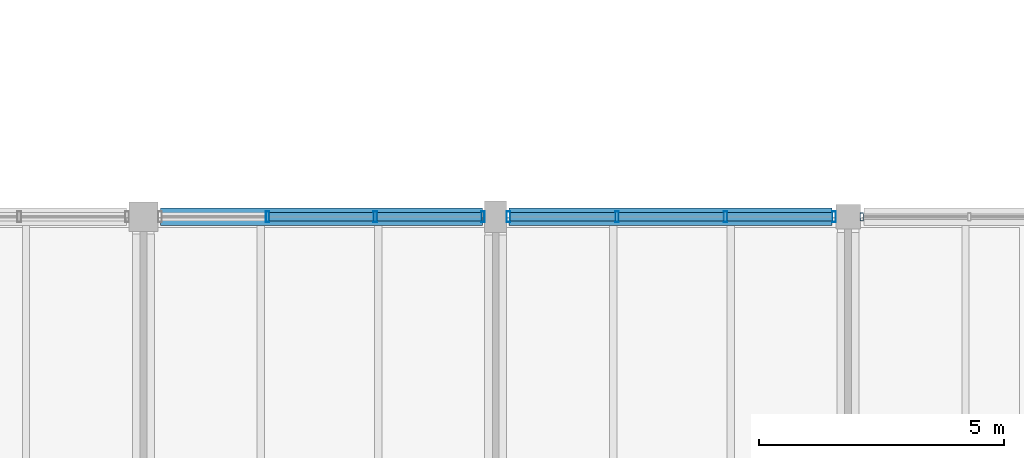
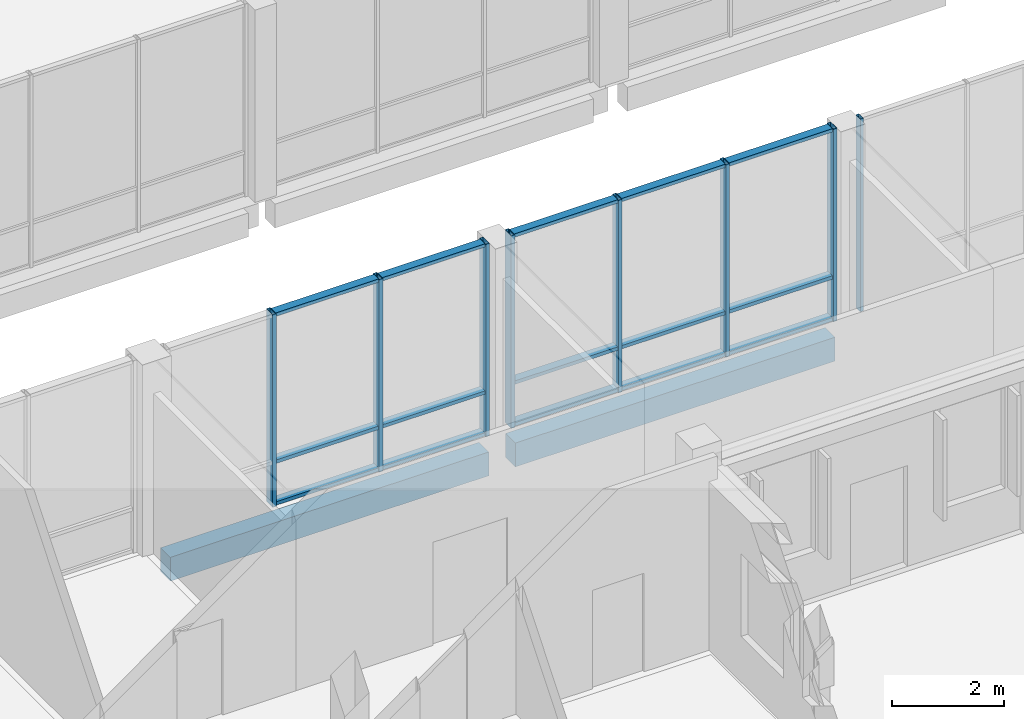
# One storey, part 22 of 104: 23 members, 2 beams, 3 elements without a shape of their own.
"""IFC4 building model written with IfcOpenShell, lengths in metres."""

from ifc_helpers import new_model, si_unit, direction, frame, origin, origin_2d, place, context, subcontext, project, spatial, rectangle, hollow_rectangle, extrude, material, material_profile, profile_set, type_object, element, aggregate, save


model = new_model("IFC4")

# Units and contexts
model_context = context("Model", 3, precision=1e-05, world=origin(), true_north=direction((0.0, 1.0)))
body_context = subcontext(model_context, "Body", "Model", "MODEL_VIEW")
ifc_project = project(units=[si_unit("LENGTHUNIT", "METRE"), si_unit("AREAUNIT", "SQUARE_METRE"), si_unit("VOLUMEUNIT", "CUBIC_METRE"), si_unit("PLANEANGLEUNIT", "RADIAN"), si_unit("MASSUNIT", "GRAM", prefix="KILO")], contexts=[model_context])

# Site, building, storey
site_placement = place(None, origin())
site = spatial("IfcSite", under=ifc_project, at=site_placement, CompositionType="ELEMENT")
building_placement = place(site_placement, origin())
building = spatial("IfcBuilding", under=site, at=building_placement, Name="Hawrajan Terrace Health Centre", CompositionType="ELEMENT")
storey_placement = place(building_placement, origin())
storey = spatial("IfcBuildingStorey", under=building, at=storey_placement, Name="L00", CompositionType="ELEMENT", Elevation=0.0)

# Curtain wall, member
ifc_material_1 = material(Name="Anodized bronze aluminium and low-E solar glazing", Category="aluminium")
curtain_wall_type_1 = type_object("IfcCurtainWallType", Name="CW_Terrace_SeriesK1", PredefinedType="USERDEFINED", material=ifc_material_1)
curtain_wall_1_placement = place(storey_placement, origin())
curtain_wall_1 = element("IfcCurtainWall", 1, at=curtain_wall_1_placement, inside=storey, type_object=curtain_wall_type_1, Name="Curtain wall CW-L00-021", ObjectType="UNITISED CURTAIN WALL", PredefinedType="USERDEFINED")
ifc_material_2 = material(Name="Anodized bronze aluminium 6063-T6", Category="aluminium")
ifc_material_profile_1 = material_profile(ifc_material_2, hollow_rectangle(XDim=0.06494140625, YDim=0.159912109375, WallThickness=0.00390625, at=origin_2d()), Name="CW MUL 65x160")
ifc_profile_set_1 = profile_set([ifc_material_profile_1], Name="Anodized bronze aluminium 6063-T6")
member_type_1 = type_object("IfcMemberType", Name="CWMullion_65x160", PredefinedType="MULLION", material=ifc_profile_set_1)
member_1_placement = place(storey_placement, frame((48.08251953125, 18.60009765625, -0.0048828125), z_axis=(0.0, 0.0, 1.0), x_axis=(1.0, 0.0, 0.0)))
member_1 = element("IfcMember", 2, at=member_1_placement, type_object=member_type_1, Name="Mullion CW-L00-021-M1", PredefinedType="MULLION", context=body_context, shape_type="SweptSolid", body=[
    extrude(hollow_rectangle(XDim=0.06494140625, YDim=0.159912109375, WallThickness=0.00390625, at=origin_2d()), origin(), (0.0, 0.0, 1.0), 4.2099609375),
])
aggregate(curtain_wall_1, [member_1])

# Curtain wall, members
curtain_wall_type_2 = type_object("IfcCurtainWallType", Name="CW_Hall_SeriesD2", PredefinedType="USERDEFINED", material=ifc_material_1)
curtain_wall_2_placement = place(storey_placement, origin())
curtain_wall_2 = element("IfcCurtainWall", 3, at=curtain_wall_2_placement, inside=storey, type_object=curtain_wall_type_2, Name="Curtain wall CW-L00-011", ObjectType="UNITISED CURTAIN WALL", PredefinedType="USERDEFINED")
ifc_material_profile_2 = material_profile(ifc_material_2, hollow_rectangle(XDim=0.074951171875, YDim=0.219970703125, WallThickness=0.0048828125, at=origin_2d()), Name="CW MUL 75x220")
ifc_profile_set_2 = profile_set([ifc_material_profile_2], Name="Anodized bronze aluminium 6063-T6")
member_type_2 = type_object("IfcMemberType", Name="CWMullion_75x220", PredefinedType="MULLION", material=ifc_profile_set_2)
member_2_placement = place(storey_placement, frame((35.9375, 18.60009765625, -0.0048828125), z_axis=(0.0, 0.0, 1.0), x_axis=(1.0, 0.0, 0.0)))
member_2 = element("IfcMember", 4, at=member_2_placement, type_object=member_type_2, Name="Mullion CW-L00-011-M2", PredefinedType="MULLION", context=body_context, shape_type="SweptSolid", body=[
    extrude(hollow_rectangle(XDim=0.074951171875, YDim=0.219970703125, WallThickness=0.0048828125, at=origin_2d()), origin(), (0.0, 0.0, 1.0), 4.2099609375),
])
member_3_placement = place(storey_placement, frame((38.137451171875, 18.60009765625, -0.0048828125), z_axis=(0.0, 0.0, 1.0), x_axis=(1.0, 0.0, 0.0)))
member_3 = element("IfcMember", 5, at=member_3_placement, type_object=member_type_2, Name="Mullion CW-L00-011-M3", PredefinedType="MULLION", context=body_context, shape_type="SweptSolid", body=[
    extrude(hollow_rectangle(XDim=0.074951171875, YDim=0.219970703125, WallThickness=0.0048828125, at=origin_2d()), origin(), (0.0, 0.0, 1.0), 4.2099609375),
])
member_4_placement = place(storey_placement, frame((40.33740234375, 18.60009765625, -0.0048828125), z_axis=(0.0, 0.0, 1.0), x_axis=(1.0, 0.0, 0.0)))
member_4 = element("IfcMember", 6, at=member_4_placement, type_object=member_type_2, Name="Mullion CW-L00-011-M4", PredefinedType="MULLION", context=body_context, shape_type="SweptSolid", body=[
    extrude(hollow_rectangle(XDim=0.074951171875, YDim=0.219970703125, WallThickness=0.0048828125, at=origin_2d()), origin(), (0.0, 0.0, 1.0), 4.2099609375),
])

curtain_wall_type_3 = type_object("IfcCurtainWallType", Name="CW_Clerestory_SeriesG2", PredefinedType="USERDEFINED", material=ifc_material_1)
curtain_wall_3_placement = place(storey_placement, origin())
curtain_wall_3 = element("IfcCurtainWall", 7, at=curtain_wall_3_placement, inside=storey, type_object=curtain_wall_type_3, Name="Curtain wall CW-L00-017", ObjectType="UNITISED CURTAIN WALL", PredefinedType="USERDEFINED")
member_5_placement = place(storey_placement, frame((40.862548828125, 18.60009765625, -0.0048828125), z_axis=(0.0, 0.0, 1.0), x_axis=(1.0, 0.0, 0.0)))
member_5 = element("IfcMember", 8, at=member_5_placement, type_object=member_type_2, Name="Mullion CW-L00-017-M1", PredefinedType="MULLION", context=body_context, shape_type="SweptSolid", body=[
    extrude(hollow_rectangle(XDim=0.074951171875, YDim=0.219970703125, WallThickness=0.0048828125, at=origin_2d()), origin(), (0.0, 0.0, 1.0), 4.2099609375),
])
member_6_placement = place(storey_placement, frame((43.0791015625, 18.60009765625, -0.0048828125), z_axis=(0.0, 0.0, 1.0), x_axis=(1.0, 0.0, 0.0)))
member_6 = element("IfcMember", 9, at=member_6_placement, type_object=member_type_2, Name="Mullion CW-L00-017-M2", PredefinedType="MULLION", context=body_context, shape_type="SweptSolid", body=[
    extrude(hollow_rectangle(XDim=0.074951171875, YDim=0.219970703125, WallThickness=0.0048828125, at=origin_2d()), origin(), (0.0, 0.0, 1.0), 4.2099609375),
])
member_7_placement = place(storey_placement, frame((45.2958984375, 18.60009765625, -0.0048828125), z_axis=(0.0, 0.0, 1.0), x_axis=(1.0, 0.0, 0.0)))
member_7 = element("IfcMember", 10, at=member_7_placement, type_object=member_type_2, Name="Mullion CW-L00-017-M3", PredefinedType="MULLION", context=body_context, shape_type="SweptSolid", body=[
    extrude(hollow_rectangle(XDim=0.074951171875, YDim=0.219970703125, WallThickness=0.0048828125, at=origin_2d()), origin(), (0.0, 0.0, 1.0), 4.2099609375),
])
member_8_placement = place(storey_placement, frame((47.512451171875, 18.60009765625, -0.0048828125), z_axis=(0.0, 0.0, 1.0), x_axis=(1.0, 0.0, 0.0)))
member_8 = element("IfcMember", 11, at=member_8_placement, type_object=member_type_2, Name="Mullion CW-L00-017-M4", PredefinedType="MULLION", context=body_context, shape_type="SweptSolid", body=[
    extrude(hollow_rectangle(XDim=0.074951171875, YDim=0.219970703125, WallThickness=0.0048828125, at=origin_2d()), origin(), (0.0, 0.0, 1.0), 4.2099609375),
])

# Member
ifc_material_profile_3 = material_profile(ifc_material_2, hollow_rectangle(XDim=0.074951171875, YDim=0.169921875, WallThickness=0.00439453125, at=origin_2d()), Name="CW TRN 75x170")
ifc_profile_set_3 = profile_set([ifc_material_profile_3], Name="Anodized bronze aluminium 6063-T6")
member_type_3 = type_object("IfcMemberType", Name="CWTransom_75x170", PredefinedType="USERDEFINED", material=ifc_profile_set_3)
member_9_placement = place(storey_placement, frame((35.968994140625, 18.60009765625, 0.03759765625), z_axis=(1.0, 0.0, 0.0), x_axis=(0.0, 0.0, 1.0)))
member_9 = element("IfcMember", 12, at=member_9_placement, type_object=member_type_3, Name="Transom CW-L00-011-T2-1", ObjectType="TRANSOM", PredefinedType="USERDEFINED", context=body_context, shape_type="SweptSolid", body=[
    extrude(hollow_rectangle(XDim=0.074951171875, YDim=0.169921875, WallThickness=0.00439453125, at=origin_2d()), origin(), (0.0, 0.0, 1.0), 2.136962890625),
])

member_10_placement = place(storey_placement, frame((35.968994140625, 18.60009765625, 0.949951171875), z_axis=(1.0, 0.0, 0.0), x_axis=(0.0, 0.0, 1.0)))
member_10 = element("IfcMember", 13, at=member_10_placement, type_object=member_type_3, Name="Transom CW-L00-011-T2-2", ObjectType="TRANSOM", PredefinedType="USERDEFINED", context=body_context, shape_type="SweptSolid", body=[
    extrude(hollow_rectangle(XDim=0.074951171875, YDim=0.169921875, WallThickness=0.00439453125, at=origin_2d()), origin(), (0.0, 0.0, 1.0), 2.136962890625),
])

member_11_placement = place(storey_placement, frame((35.968994140625, 18.60009765625, 4.16259765625), z_axis=(1.0, 0.0, 0.0), x_axis=(0.0, 0.0, 1.0)))
member_11 = element("IfcMember", 14, at=member_11_placement, type_object=member_type_3, Name="Transom CW-L00-011-T2-3", ObjectType="TRANSOM", PredefinedType="USERDEFINED", context=body_context, shape_type="SweptSolid", body=[
    extrude(hollow_rectangle(XDim=0.074951171875, YDim=0.169921875, WallThickness=0.00439453125, at=origin_2d()), origin(), (0.0, 0.0, 1.0), 2.136962890625),
])

member_12_placement = place(storey_placement, frame((38.1689453125, 18.60009765625, 0.03759765625), z_axis=(1.0, 0.0, 0.0), x_axis=(0.0, 0.0, 1.0)))
member_12 = element("IfcMember", 15, at=member_12_placement, type_object=member_type_3, Name="Transom CW-L00-011-T3-1", ObjectType="TRANSOM", PredefinedType="USERDEFINED", context=body_context, shape_type="SweptSolid", body=[
    extrude(hollow_rectangle(XDim=0.074951171875, YDim=0.169921875, WallThickness=0.00439453125, at=origin_2d()), origin(), (0.0, 0.0, 1.0), 2.136962890625),
])

member_13_placement = place(storey_placement, frame((38.1689453125, 18.60009765625, 0.949951171875), z_axis=(1.0, 0.0, 0.0), x_axis=(0.0, 0.0, 1.0)))
member_13 = element("IfcMember", 16, at=member_13_placement, type_object=member_type_3, Name="Transom CW-L00-011-T3-2", ObjectType="TRANSOM", PredefinedType="USERDEFINED", context=body_context, shape_type="SweptSolid", body=[
    extrude(hollow_rectangle(XDim=0.074951171875, YDim=0.169921875, WallThickness=0.00439453125, at=origin_2d()), origin(), (0.0, 0.0, 1.0), 2.136962890625),
])

member_14_placement = place(storey_placement, frame((38.1689453125, 18.60009765625, 4.16259765625), z_axis=(1.0, 0.0, 0.0), x_axis=(0.0, 0.0, 1.0)))
member_14 = element("IfcMember", 17, at=member_14_placement, type_object=member_type_3, Name="Transom CW-L00-011-T3-3", ObjectType="TRANSOM", PredefinedType="USERDEFINED", context=body_context, shape_type="SweptSolid", body=[
    extrude(hollow_rectangle(XDim=0.074951171875, YDim=0.169921875, WallThickness=0.00439453125, at=origin_2d()), origin(), (0.0, 0.0, 1.0), 2.136962890625),
])

aggregate(curtain_wall_2, [member_2, member_3, member_4, member_9, member_10, member_11, member_12, member_13, member_14])

member_15_placement = place(storey_placement, frame((40.89404296875, 18.60009765625, 0.03759765625), z_axis=(1.0, 0.0, 0.0), x_axis=(0.0, 0.0, 1.0)))
member_15 = element("IfcMember", 18, at=member_15_placement, type_object=member_type_3, Name="Transom CW-L00-017-T1-1", ObjectType="TRANSOM", PredefinedType="USERDEFINED", context=body_context, shape_type="SweptSolid", body=[
    extrude(hollow_rectangle(XDim=0.074951171875, YDim=0.169921875, WallThickness=0.00439453125, at=origin_2d()), origin(), (0.0, 0.0, 1.0), 2.153564453125),
])

member_16_placement = place(storey_placement, frame((40.89404296875, 18.60009765625, 0.949951171875), z_axis=(1.0, 0.0, 0.0), x_axis=(0.0, 0.0, 1.0)))
member_16 = element("IfcMember", 19, at=member_16_placement, type_object=member_type_3, Name="Transom CW-L00-017-T1-2", ObjectType="TRANSOM", PredefinedType="USERDEFINED", context=body_context, shape_type="SweptSolid", body=[
    extrude(hollow_rectangle(XDim=0.074951171875, YDim=0.169921875, WallThickness=0.00439453125, at=origin_2d()), origin(), (0.0, 0.0, 1.0), 2.153564453125),
])

member_17_placement = place(storey_placement, frame((40.89404296875, 18.60009765625, 4.16259765625), z_axis=(1.0, 0.0, 0.0), x_axis=(0.0, 0.0, 1.0)))
member_17 = element("IfcMember", 20, at=member_17_placement, type_object=member_type_3, Name="Transom CW-L00-017-T1-3", ObjectType="TRANSOM", PredefinedType="USERDEFINED", context=body_context, shape_type="SweptSolid", body=[
    extrude(hollow_rectangle(XDim=0.074951171875, YDim=0.169921875, WallThickness=0.00439453125, at=origin_2d()), origin(), (0.0, 0.0, 1.0), 2.153564453125),
])

member_18_placement = place(storey_placement, frame((43.110595703125, 18.60009765625, 0.03759765625), z_axis=(1.0, 0.0, 0.0), x_axis=(0.0, 0.0, 1.0)))
member_18 = element("IfcMember", 21, at=member_18_placement, type_object=member_type_3, Name="Transom CW-L00-017-T2-1", ObjectType="TRANSOM", PredefinedType="USERDEFINED", context=body_context, shape_type="SweptSolid", body=[
    extrude(hollow_rectangle(XDim=0.074951171875, YDim=0.169921875, WallThickness=0.00439453125, at=origin_2d()), origin(), (0.0, 0.0, 1.0), 2.15380859375),
])

member_19_placement = place(storey_placement, frame((43.110595703125, 18.60009765625, 0.949951171875), z_axis=(1.0, 0.0, 0.0), x_axis=(0.0, 0.0, 1.0)))
member_19 = element("IfcMember", 22, at=member_19_placement, type_object=member_type_3, Name="Transom CW-L00-017-T2-2", ObjectType="TRANSOM", PredefinedType="USERDEFINED", context=body_context, shape_type="SweptSolid", body=[
    extrude(hollow_rectangle(XDim=0.074951171875, YDim=0.169921875, WallThickness=0.00439453125, at=origin_2d()), origin(), (0.0, 0.0, 1.0), 2.15380859375),
])

member_20_placement = place(storey_placement, frame((43.110595703125, 18.60009765625, 4.16259765625), z_axis=(1.0, 0.0, 0.0), x_axis=(0.0, 0.0, 1.0)))
member_20 = element("IfcMember", 23, at=member_20_placement, type_object=member_type_3, Name="Transom CW-L00-017-T2-3", ObjectType="TRANSOM", PredefinedType="USERDEFINED", context=body_context, shape_type="SweptSolid", body=[
    extrude(hollow_rectangle(XDim=0.074951171875, YDim=0.169921875, WallThickness=0.00439453125, at=origin_2d()), origin(), (0.0, 0.0, 1.0), 2.15380859375),
])

member_21_placement = place(storey_placement, frame((45.327392578125, 18.60009765625, 0.03759765625), z_axis=(1.0, 0.0, 0.0), x_axis=(0.0, 0.0, 1.0)))
member_21 = element("IfcMember", 24, at=member_21_placement, type_object=member_type_3, Name="Transom CW-L00-017-T3-1", ObjectType="TRANSOM", PredefinedType="USERDEFINED", context=body_context, shape_type="SweptSolid", body=[
    extrude(hollow_rectangle(XDim=0.074951171875, YDim=0.169921875, WallThickness=0.00439453125, at=origin_2d()), origin(), (0.0, 0.0, 1.0), 2.153564453125),
])

member_22_placement = place(storey_placement, frame((45.327392578125, 18.60009765625, 0.949951171875), z_axis=(1.0, 0.0, 0.0), x_axis=(0.0, 0.0, 1.0)))
member_22 = element("IfcMember", 25, at=member_22_placement, type_object=member_type_3, Name="Transom CW-L00-017-T3-2", ObjectType="TRANSOM", PredefinedType="USERDEFINED", context=body_context, shape_type="SweptSolid", body=[
    extrude(hollow_rectangle(XDim=0.074951171875, YDim=0.169921875, WallThickness=0.00439453125, at=origin_2d()), origin(), (0.0, 0.0, 1.0), 2.153564453125),
])

member_23_placement = place(storey_placement, frame((45.327392578125, 18.60009765625, 4.16259765625), z_axis=(1.0, 0.0, 0.0), x_axis=(0.0, 0.0, 1.0)))
member_23 = element("IfcMember", 26, at=member_23_placement, type_object=member_type_3, Name="Transom CW-L00-017-T3-3", ObjectType="TRANSOM", PredefinedType="USERDEFINED", context=body_context, shape_type="SweptSolid", body=[
    extrude(hollow_rectangle(XDim=0.074951171875, YDim=0.169921875, WallThickness=0.00439453125, at=origin_2d()), origin(), (0.0, 0.0, 1.0), 2.153564453125),
])

aggregate(curtain_wall_3, [member_5, member_6, member_7, member_8, member_15, member_16, member_17, member_18, member_19, member_20, member_21, member_22, member_23])

# Beams
ifc_material_3 = material(Name="Concrete C40/50", Category="concrete")
ifc_material_profile_4 = material_profile(ifc_material_3, rectangle(XDim=0.35009765625, YDim=0.52001953125, at=origin_2d()), Name="RC SP 350x520")
ifc_profile_set_4 = profile_set([ifc_material_profile_4], Name="Concrete C40/50")
beam_type = type_object("IfcBeamType", Name="RCSpandrel_350x520", PredefinedType="SPANDREL", material=ifc_profile_set_4)
beam_1_placement = place(storey_placement, frame((33.75, 18.60009765625, -0.56005859375), z_axis=(1.0, 0.0, 0.0), x_axis=(0.0, 1.0, 0.0)))
element("IfcBeam", 27, at=beam_1_placement, inside=storey, type_object=beam_type, Name="Beam BM-X-L00-W-05-Y3", PredefinedType="SPANDREL", context=body_context, shape_type="SweptSolid", body=[
    extrude(rectangle(XDim=0.35009765625, YDim=0.52001953125, at=origin_2d()), origin(), (0.0, 0.0, 1.0), 6.574951171875),
])
beam_2_placement = place(storey_placement, frame((40.875, 18.60009765625, -0.56005859375), z_axis=(1.0, 0.0, 0.0), x_axis=(0.0, 1.0, 0.0)))
element("IfcBeam", 28, at=beam_2_placement, inside=storey, type_object=beam_type, Name="Beam BM-X-L00-W-06-Y3", PredefinedType="SPANDREL", context=body_context, shape_type="SweptSolid", body=[
    extrude(rectangle(XDim=0.35009765625, YDim=0.52001953125, at=origin_2d()), origin(), (0.0, 0.0, 1.0), 6.60009765625),
])

save(model, "model.ifc")
